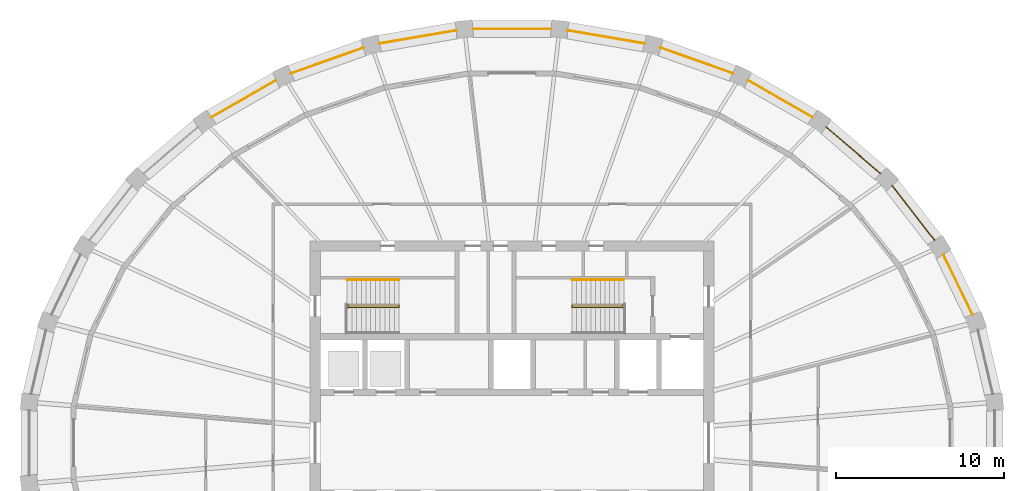
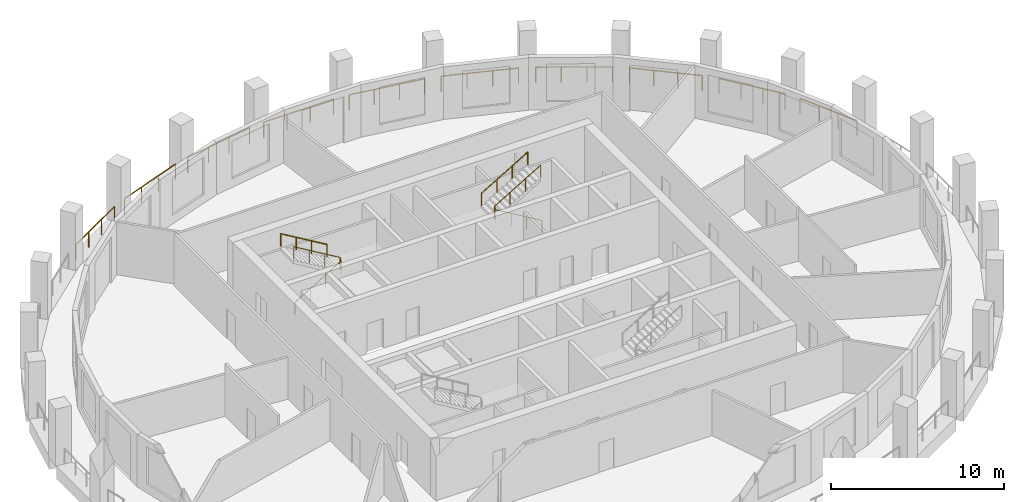
# One storey, part 9 of 10: 14 railings.
"""IFC4 building model written with IfcOpenShell, lengths in metres."""

from ifc_helpers import new_model, si_unit, direction, frame, origin, origin_2d, place, context, subcontext, project, spatial, circle, extrude, material, type_object, element, save


model = new_model("IFC4")

# Units and contexts
model_context = context("Model", 3, precision=1e-05, world=origin(), true_north=direction((0.0, 1.0)))
body_context = subcontext(model_context, "Body", "Model", "MODEL_VIEW")
ifc_project = project(units=[si_unit("LENGTHUNIT", "METRE"), si_unit("AREAUNIT", "SQUARE_METRE"), si_unit("VOLUMEUNIT", "CUBIC_METRE"), si_unit("PLANEANGLEUNIT", "RADIAN"), si_unit("MASSUNIT", "GRAM", prefix="KILO")], contexts=[model_context])

# Site, building, storey
site_placement = place(None, origin())
site = spatial("IfcSite", under=ifc_project, at=site_placement, CompositionType="ELEMENT")
building_placement = place(site_placement, origin())
building = spatial("IfcBuilding", under=site, at=building_placement, Name="Halqa Exchange Tower", CompositionType="ELEMENT")
storey_placement = place(building_placement, frame((0.0, 0.0, 304.300048828125)))
storey = spatial("IfcBuildingStorey", under=building, at=storey_placement, Name="L71", CompositionType="ELEMENT", Elevation=304.300048828125)

# Railings
ifc_material = material(Name="Stainless steel", Category="steel")
railing_type_1 = type_object("IfcRailingType", Name="Guard 1100 stainless steel", PredefinedType="GUARDRAIL", material=ifc_material)
railing_1_placement = place(storey_placement, frame((27.382568359375, 7.626708984375, 0.0)))
element("IfcRailing", 1, at=railing_1_placement, inside=storey, type_object=railing_type_1, Name="Loggia guard 2", PredefinedType="GUARDRAIL", context=body_context, shape_type="SweptSolid", body=[
    extrude(circle(Radius=0.02392578125, at=origin_2d()), frame((0.0, 0.0, 1.076171875), z_axis=(-0.435103066542, 0.90038065366, 0.0), x_axis=(-0.90038065366, -0.435103066542, 0.0)), (0.0, 0.0, 1.0), 3.97265625),
    extrude(circle(Radius=0.02099609375, at=origin_2d()), origin(), (0.0, 0.0, 1.0), 1.052001953125),
    extrude(circle(Radius=0.02099609375, at=origin_2d()), frame((-0.576171875, 1.1923828125, 0.0)), (0.0, 0.0, 1.0), 1.052001953125),
    extrude(circle(Radius=0.02099609375, at=origin_2d()), frame((-1.15234375, 2.384521484375, 0.0)), (0.0, 0.0, 1.0), 1.052001953125),
    extrude(circle(Radius=0.02099609375, at=origin_2d()), frame((-1.728515625, 3.576904296875, 0.0)), (0.0, 0.0, 1.0), 1.052001953125),
])
railing_2_placement = place(storey_placement, frame((25.129150390625, 12.048095703125, 0.0)))
element("IfcRailing", 2, at=railing_2_placement, inside=storey, type_object=railing_type_1, Name="Loggia guard 3", PredefinedType="GUARDRAIL", context=body_context, shape_type="SweptSolid", body=[
    extrude(circle(Radius=0.02392578125, at=origin_2d()), frame((0.0, 0.0, 1.076171875), z_axis=(-0.614828624777, 0.78866073958, 0.0), x_axis=(-0.78866073958, -0.614828624777, 0.0)), (0.0, 0.0, 1.0), 4.109375),
    extrude(circle(Radius=0.02099609375, at=origin_2d()), origin(), (0.0, 0.0, 1.0), 1.052001953125),
    extrude(circle(Radius=0.02099609375, at=origin_2d()), frame((-0.84228515625, 1.080322265625, 0.0)), (0.0, 0.0, 1.0), 1.052001953125),
    extrude(circle(Radius=0.02099609375, at=origin_2d()), frame((-1.684326171875, 2.16064453125, 0.0)), (0.0, 0.0, 1.0), 1.052001953125),
    extrude(circle(Radius=0.02099609375, at=origin_2d()), frame((-2.526611328125, 3.240966796875, 0.0)), (0.0, 0.0, 1.0), 1.052001953125),
])
railing_3_placement = place(storey_placement, frame((21.91552734375, 16.0087890625, 0.0)))
element("IfcRailing", 3, at=railing_3_placement, inside=storey, type_object=railing_type_1, Name="Loggia guard 4", PredefinedType="GUARDRAIL", context=body_context, shape_type="SweptSolid", body=[
    extrude(circle(Radius=0.02392578125, at=origin_2d()), frame((0.0, 0.0, 1.076171875), z_axis=(-0.759252562376, 0.650796086747, 0.0), x_axis=(-0.650796086747, -0.759252562376, 0.0)), (0.0, 0.0, 1.0), 4.265625),
    extrude(circle(Radius=0.02099609375, at=origin_2d()), origin(), (0.0, 0.0, 1.0), 1.052001953125),
    extrude(circle(Radius=0.02099609375, at=origin_2d()), frame((-1.07958984375, 0.92529296875, 0.0)), (0.0, 0.0, 1.0), 1.052001953125),
    extrude(circle(Radius=0.02099609375, at=origin_2d()), frame((-2.1591796875, 1.850830078125, 0.0)), (0.0, 0.0, 1.0), 1.052001953125),
    extrude(circle(Radius=0.02099609375, at=origin_2d()), frame((-3.23876953125, 2.776123046875, 0.0)), (0.0, 0.0, 1.0), 1.052001953125),
])
railing_4_placement = place(storey_placement, frame((17.86328125, 19.358642578125, 0.0)))
element("IfcRailing", 4, at=railing_4_placement, inside=storey, type_object=railing_type_1, Name="Loggia guard 5", PredefinedType="GUARDRAIL", context=body_context, shape_type="SweptSolid", body=[
    extrude(circle(Radius=0.02392578125, at=origin_2d()), frame((0.0, 0.0, 1.076171875), z_axis=(-0.867742750066, 0.49701360113, 0.0), x_axis=(-0.49701360113, -0.867742750066, 0.0)), (0.0, 0.0, 1.0), 4.41748046875),
    extrude(circle(Radius=0.02099609375, at=origin_2d()), origin(), (0.0, 0.0, 1.0), 1.052001953125),
    extrude(circle(Radius=0.02099609375, at=origin_2d()), frame((-1.27783203125, 0.73193359375, 0.0)), (0.0, 0.0, 1.0), 1.052001953125),
    extrude(circle(Radius=0.02099609375, at=origin_2d()), frame((-2.555419921875, 1.463623046875, 0.0)), (0.0, 0.0, 1.0), 1.052001953125),
    extrude(circle(Radius=0.02099609375, at=origin_2d()), frame((-3.833251953125, 2.195556640625, 0.0)), (0.0, 0.0, 1.0), 1.052001953125),
])
railing_5_placement = place(storey_placement, frame((13.125, 21.969970703125, 0.0)))
element("IfcRailing", 5, at=railing_5_placement, inside=storey, type_object=railing_type_1, Name="Loggia guard 6", PredefinedType="GUARDRAIL", context=body_context, shape_type="SweptSolid", body=[
    extrude(circle(Radius=0.02392578125, at=origin_2d()), frame((0.0, 0.0, 1.076171875), z_axis=(-0.9423736492, 0.334562259219, 0.0), x_axis=(-0.334562259219, -0.9423736492, 0.0)), (0.0, 0.0, 1.0), 4.543212890625),
    extrude(circle(Radius=0.02099609375, at=origin_2d()), origin(), (0.0, 0.0, 1.0), 1.052001953125),
    extrude(circle(Radius=0.02099609375, at=origin_2d()), frame((-1.42724609375, 0.506591796875, 0.0)), (0.0, 0.0, 1.0), 1.052001953125),
    extrude(circle(Radius=0.02099609375, at=origin_2d()), frame((-2.854248046875, 1.013427734375, 0.0)), (0.0, 0.0, 1.0), 1.052001953125),
    extrude(circle(Radius=0.02099609375, at=origin_2d()), frame((-4.281494140625, 1.52001953125, 0.0)), (0.0, 0.0, 1.0), 1.052001953125),
])
railing_6_placement = place(storey_placement, frame((7.87939453125, 23.7412109375, 0.0)))
element("IfcRailing", 6, at=railing_6_placement, inside=storey, type_object=railing_type_1, Name="Loggia guard 7", PredefinedType="GUARDRAIL", context=body_context, shape_type="SweptSolid", body=[
    extrude(circle(Radius=0.02392578125, at=origin_2d()), frame((0.0, 0.0, 1.076171875), z_axis=(-0.985767803326, 0.168112575155, 0.0), x_axis=(-0.168112575155, -0.985767803326, 0.0)), (0.0, 0.0, 1.0), 4.62548828125),
    extrude(circle(Radius=0.02099609375, at=origin_2d()), origin(), (0.0, 0.0, 1.0), 1.052001953125),
    extrude(circle(Radius=0.02099609375, at=origin_2d()), frame((-1.519775390625, 0.25927734375, 0.0)), (0.0, 0.0, 1.0), 1.052001953125),
    extrude(circle(Radius=0.02099609375, at=origin_2d()), frame((-3.039794921875, 0.518310546875, 0.0)), (0.0, 0.0, 1.0), 1.052001953125),
    extrude(circle(Radius=0.02099609375, at=origin_2d()), frame((-4.5595703125, 0.777587890625, 0.0)), (0.0, 0.0, 1.0), 1.052001953125),
])
railing_7_placement = place(storey_placement, frame((2.326904296875, 24.602783203125, 0.0)))
element("IfcRailing", 7, at=railing_7_placement, inside=storey, type_object=railing_type_1, Name="Loggia guard 8", PredefinedType="GUARDRAIL", context=body_context, shape_type="SweptSolid", body=[
    extrude(circle(Radius=0.02392578125, at=origin_2d()), frame((0.0, 0.0, 1.076171875), z_axis=(-1.0, 0.0, 0.0), x_axis=(0.0, -1.0, 0.0)), (0.0, 0.0, 1.0), 4.65380859375),
    extrude(circle(Radius=0.02099609375, at=origin_2d()), origin(), (0.0, 0.0, 1.0), 1.052001953125),
    extrude(circle(Radius=0.02099609375, at=origin_2d()), frame((-1.55126953125, 0.0, 0.0)), (0.0, 0.0, 1.0), 1.052001953125),
    extrude(circle(Radius=0.02099609375, at=origin_2d()), frame((-3.1025390625, 0.0, 0.0)), (0.0, 0.0, 1.0), 1.052001953125),
    extrude(circle(Radius=0.02099609375, at=origin_2d()), frame((-4.65380859375, 0.0, 0.0)), (0.0, 0.0, 1.0), 1.052001953125),
])
railing_8_placement = place(storey_placement, frame((-3.31982421875, 24.518798828125, 0.0)))
element("IfcRailing", 8, at=railing_8_placement, inside=storey, type_object=railing_type_1, Name="Loggia guard 9", PredefinedType="GUARDRAIL", context=body_context, shape_type="SweptSolid", body=[
    extrude(circle(Radius=0.02392578125, at=origin_2d()), frame((0.0, 0.0, 1.076171875), z_axis=(-0.985767803326, -0.168112575155, 0.0), x_axis=(0.168112575155, -0.985767803326, 0.0)), (0.0, 0.0, 1.0), 4.62548828125),
    extrude(circle(Radius=0.02099609375, at=origin_2d()), origin(), (0.0, 0.0, 1.0), 1.052001953125),
    extrude(circle(Radius=0.02099609375, at=origin_2d()), frame((-1.519775390625, -0.25927734375, 0.0)), (0.0, 0.0, 1.0), 1.052001953125),
    extrude(circle(Radius=0.02099609375, at=origin_2d()), frame((-3.039794921875, -0.518310546875, 0.0)), (0.0, 0.0, 1.0), 1.052001953125),
    extrude(circle(Radius=0.02099609375, at=origin_2d()), frame((-4.5595703125, -0.777587890625, 0.0)), (0.0, 0.0, 1.0), 1.052001953125),
])
railing_9_placement = place(storey_placement, frame((-8.843505859375, 23.489990234375, 0.0)))
element("IfcRailing", 9, at=railing_9_placement, inside=storey, type_object=railing_type_1, Name="Loggia guard 10", PredefinedType="GUARDRAIL", context=body_context, shape_type="SweptSolid", body=[
    extrude(circle(Radius=0.02392578125, at=origin_2d()), frame((0.0, 0.0, 1.076171875), z_axis=(-0.9423736492, -0.334562259219, 0.0), x_axis=(0.334562259219, -0.9423736492, 0.0)), (0.0, 0.0, 1.0), 4.543212890625),
    extrude(circle(Radius=0.02099609375, at=origin_2d()), origin(), (0.0, 0.0, 1.0), 1.052001953125),
    extrude(circle(Radius=0.02099609375, at=origin_2d()), frame((-1.42724609375, -0.506591796875, 0.0)), (0.0, 0.0, 1.0), 1.052001953125),
    extrude(circle(Radius=0.02099609375, at=origin_2d()), frame((-2.854248046875, -1.013427734375, 0.0)), (0.0, 0.0, 1.0), 1.052001953125),
    extrude(circle(Radius=0.02099609375, at=origin_2d()), frame((-4.281494140625, -1.52001953125, 0.0)), (0.0, 0.0, 1.0), 1.052001953125),
])
railing_10_placement = place(storey_placement, frame((-14.030029296875, 21.55419921875, 0.0)))
element("IfcRailing", 10, at=railing_10_placement, inside=storey, type_object=railing_type_1, Name="Loggia guard 11", PredefinedType="GUARDRAIL", context=body_context, shape_type="SweptSolid", body=[
    extrude(circle(Radius=0.02392578125, at=origin_2d()), frame((0.0, 0.0, 1.076171875), z_axis=(-0.867742750066, -0.49701360113, 0.0), x_axis=(0.49701360113, -0.867742750066, 0.0)), (0.0, 0.0, 1.0), 4.41748046875),
    extrude(circle(Radius=0.02099609375, at=origin_2d()), origin(), (0.0, 0.0, 1.0), 1.052001953125),
    extrude(circle(Radius=0.02099609375, at=origin_2d()), frame((-1.27783203125, -0.73193359375, 0.0)), (0.0, 0.0, 1.0), 1.052001953125),
    extrude(circle(Radius=0.02099609375, at=origin_2d()), frame((-2.555419921875, -1.463623046875, 0.0)), (0.0, 0.0, 1.0), 1.052001953125),
    extrude(circle(Radius=0.02099609375, at=origin_2d()), frame((-3.833251953125, -2.195556640625, 0.0)), (0.0, 0.0, 1.0), 1.052001953125),
])
railing_type_2 = type_object("IfcRailingType", Name="Stair handrail 900", PredefinedType="HANDRAIL", material=ifc_material)
railing_11_placement = place(storey_placement, frame((-9.800048828125, 8.06005859375, 0.166748046875)))
element("IfcRailing", 11, at=railing_11_placement, inside=storey, type_object=railing_type_2, Name="Handrail ST1.1", PredefinedType="HANDRAIL", context=body_context, shape_type="SweptSolid", body=[
    extrude(circle(Radius=0.02392578125, at=origin_2d()), frame((0.0, 0.0, 0.8759765625), z_axis=(0.859308565015, 0.0, 0.511457515432), x_axis=(0.0, 1.0, 0.0)), (0.0, 0.0, 1.0), 3.58447265625),
    extrude(circle(Radius=0.02392578125, at=origin_2d()), frame((3.080078125, 0.0, 2.708984375), z_axis=(0.0, 0.614500226555, 0.788916644243), x_axis=(-1.0, 0.0, 0.0)), (0.0, 0.0, 1.0), 0.21142578125),
    extrude(circle(Radius=0.02392578125, at=origin_2d()), frame((3.080078125, 0.1298828125, 2.8759765625), z_axis=(-0.859308565015, 0.0, 0.511457515432), x_axis=(0.0, -1.0, 0.0)), (0.0, 0.0, 1.0), 3.58447265625),
    extrude(circle(Radius=0.02099609375, at=origin_2d()), origin(), (0.0, 0.0, 1.0), 0.851806640625),
    extrude(circle(Radius=0.02099609375, at=origin_2d()), frame((1.026611328125, 0.0, 0.611083984375)), (0.0, 0.0, 1.0), 0.851806640625),
    extrude(circle(Radius=0.02099609375, at=origin_2d()), frame((2.053466796875, 0.0, 1.22216796875)), (0.0, 0.0, 1.0), 0.851806640625),
    extrude(circle(Radius=0.02099609375, at=origin_2d()), frame((3.080078125, 0.0, 1.833251953125)), (0.0, 0.0, 1.0), 0.851806640625),
    extrude(circle(Radius=0.02099609375, at=origin_2d()), frame((3.080078125, 0.1298828125, 2.0)), (0.0, 0.0, 1.0), 0.851806640625),
    extrude(circle(Radius=0.02099609375, at=origin_2d()), frame((2.053466796875, 0.1298828125, 2.611083984375)), (0.0, 0.0, 1.0), 0.851806640625),
    extrude(circle(Radius=0.02099609375, at=origin_2d()), frame((1.026611328125, 0.1298828125, 3.22216796875)), (0.0, 0.0, 1.0), 0.851806640625),
    extrude(circle(Radius=0.02099609375, at=origin_2d()), frame((0.0, 0.1298828125, 3.833251953125)), (0.0, 0.0, 1.0), 0.851806640625),
])
railing_12_placement = place(storey_placement, frame((-6.719970703125, 9.699951171875, 2.166748046875)))
element("IfcRailing", 12, at=railing_12_placement, inside=storey, type_object=railing_type_2, Name="Handrail ST1.3", PredefinedType="HANDRAIL", context=body_context, shape_type="SweptSolid", body=[
    extrude(circle(Radius=0.02392578125, at=origin_2d()), frame((0.0, 0.0, 0.8759765625), z_axis=(-0.859308565015, 0.0, 0.511457515432), x_axis=(0.0, -1.0, 0.0)), (0.0, 0.0, 1.0), 3.58447265625),
    extrude(circle(Radius=0.02099609375, at=origin_2d()), origin(), (0.0, 0.0, 1.0), 0.851806640625),
    extrude(circle(Radius=0.02099609375, at=origin_2d()), frame((-1.026611328125, 0.0, 0.611083984375)), (0.0, 0.0, 1.0), 0.851806640625),
    extrude(circle(Radius=0.02099609375, at=origin_2d()), frame((-2.053466796875, 0.0, 1.22216796875)), (0.0, 0.0, 1.0), 0.851806640625),
    extrude(circle(Radius=0.02099609375, at=origin_2d()), frame((-3.080078125, 0.0, 1.833251953125)), (0.0, 0.0, 1.0), 0.851806640625),
])
railing_13_placement = place(storey_placement, frame((6.64990234375, 8.06005859375, 0.166748046875)))
element("IfcRailing", 13, at=railing_13_placement, inside=storey, type_object=railing_type_2, Name="Handrail ST2.1", PredefinedType="HANDRAIL", context=body_context, shape_type="SweptSolid", body=[
    extrude(circle(Radius=0.02392578125, at=origin_2d()), frame((0.0, 0.0, 0.8759765625), z_axis=(-0.859290745958, 0.0, 0.51148745235), x_axis=(0.0, -1.0, 0.0)), (0.0, 0.0, 1.0), 3.584228515625),
    extrude(circle(Radius=0.02392578125, at=origin_2d()), frame((-3.079833984375, 0.0, 2.708984375), z_axis=(0.0, 0.614500226555, 0.788916644243), x_axis=(-1.0, 0.0, 0.0)), (0.0, 0.0, 1.0), 0.21142578125),
    extrude(circle(Radius=0.02392578125, at=origin_2d()), frame((-3.079833984375, 0.1298828125, 2.8759765625), z_axis=(0.859290745958, 0.0, 0.51148745235), x_axis=(0.0, 1.0, 0.0)), (0.0, 0.0, 1.0), 3.584228515625),
    extrude(circle(Radius=0.02099609375, at=origin_2d()), origin(), (0.0, 0.0, 1.0), 0.851806640625),
    extrude(circle(Radius=0.02099609375, at=origin_2d()), frame((-1.026611328125, 0.0, 0.611083984375)), (0.0, 0.0, 1.0), 0.851806640625),
    extrude(circle(Radius=0.02099609375, at=origin_2d()), frame((-2.05322265625, 0.0, 1.22216796875)), (0.0, 0.0, 1.0), 0.851806640625),
    extrude(circle(Radius=0.02099609375, at=origin_2d()), frame((-3.079833984375, 0.0, 1.833251953125)), (0.0, 0.0, 1.0), 0.851806640625),
    extrude(circle(Radius=0.02099609375, at=origin_2d()), frame((-3.079833984375, 0.1298828125, 2.0)), (0.0, 0.0, 1.0), 0.851806640625),
    extrude(circle(Radius=0.02099609375, at=origin_2d()), frame((-2.05322265625, 0.1298828125, 2.611083984375)), (0.0, 0.0, 1.0), 0.851806640625),
    extrude(circle(Radius=0.02099609375, at=origin_2d()), frame((-1.026611328125, 0.1298828125, 3.22216796875)), (0.0, 0.0, 1.0), 0.851806640625),
    extrude(circle(Radius=0.02099609375, at=origin_2d()), frame((0.0, 0.1298828125, 3.833251953125)), (0.0, 0.0, 1.0), 0.851806640625),
])
railing_14_placement = place(storey_placement, frame((3.570068359375, 9.699951171875, 2.166748046875)))
element("IfcRailing", 14, at=railing_14_placement, inside=storey, type_object=railing_type_2, Name="Handrail ST2.3", PredefinedType="HANDRAIL", context=body_context, shape_type="SweptSolid", body=[
    extrude(circle(Radius=0.02392578125, at=origin_2d()), frame((0.0, 0.0, 0.8759765625), z_axis=(0.859290745958, 0.0, 0.51148745235), x_axis=(0.0, 1.0, 0.0)), (0.0, 0.0, 1.0), 3.584228515625),
    extrude(circle(Radius=0.02099609375, at=origin_2d()), origin(), (0.0, 0.0, 1.0), 0.851806640625),
    extrude(circle(Radius=0.02099609375, at=origin_2d()), frame((1.026611328125, 0.0, 0.611083984375)), (0.0, 0.0, 1.0), 0.851806640625),
    extrude(circle(Radius=0.02099609375, at=origin_2d()), frame((2.05322265625, 0.0, 1.22216796875)), (0.0, 0.0, 1.0), 0.851806640625),
    extrude(circle(Radius=0.02099609375, at=origin_2d()), frame((3.079833984375, 0.0, 1.833251953125)), (0.0, 0.0, 1.0), 0.851806640625),
])

save(model, "model.ifc")
